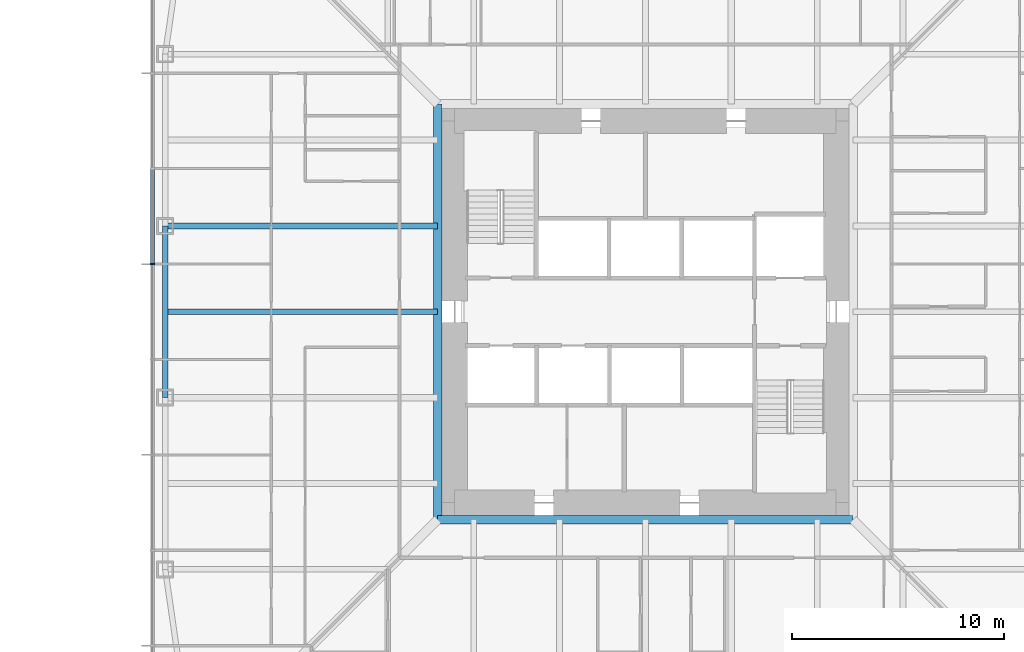
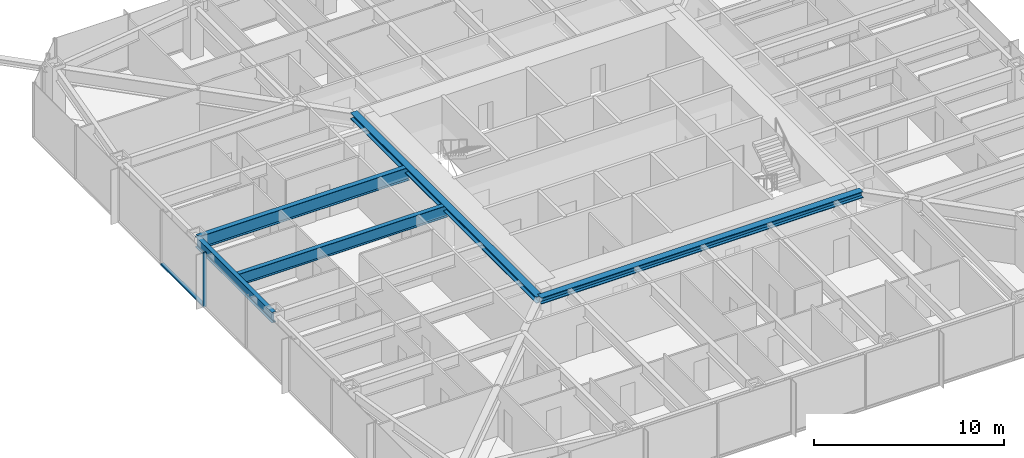
# One storey, part 4 of 26: 5 beams, 2 members, 1 element without a shape of its own.
"""IFC4 building model written with IfcOpenShell, lengths in metres."""

from ifc_helpers import new_model, si_unit, direction, frame, origin, origin_2d, place, context, subcontext, project, spatial, rectangle, i_section, extrude, material, material_profile, profile_set, type_object, element, aggregate, save


model = new_model("IFC4")

# Units and contexts
model_context = context("Model", 3, precision=1e-05, world=origin(), true_north=direction((0.0, 1.0)))
body_context = subcontext(model_context, "Body", "Model", "MODEL_VIEW")
ifc_project = project(units=[si_unit("LENGTHUNIT", "METRE"), si_unit("AREAUNIT", "SQUARE_METRE"), si_unit("VOLUMEUNIT", "CUBIC_METRE"), si_unit("PLANEANGLEUNIT", "RADIAN"), si_unit("MASSUNIT", "GRAM", prefix="KILO")], contexts=[model_context])

# Site, building, storey
site_placement = place(None, origin())
site = spatial("IfcSite", under=ifc_project, at=site_placement, CompositionType="ELEMENT")
building_placement = place(site_placement, origin())
building = spatial("IfcBuilding", under=site, at=building_placement, Name="Iwan Alto Co-Living Towers", CompositionType="ELEMENT")
storey_placement = place(building_placement, frame((0.0, 0.0, 36.0)))
storey = spatial("IfcBuildingStorey", under=building, at=storey_placement, Name="L09", CompositionType="ELEMENT", Elevation=36.0)

# Curtain wall, members
ifc_material_1 = material(Name="Bronze aluminium unitised frame", Category="aluminium")
curtain_wall_type = type_object("IfcCurtainWallType", Name="CURTAIN WALL CW-A", PredefinedType="NOTDEFINED", material=ifc_material_1)
curtain_wall_placement = place(storey_placement, origin())
curtain_wall = element("IfcCurtainWall", 1, at=curtain_wall_placement, inside=storey, type_object=curtain_wall_type, Name="T1 curtain wall W L09", PredefinedType="NOTDEFINED")
ifc_material_2 = material(Name="Aluminium 6063-T6 bronze anodised", Category="aluminium")
ifc_material_profile_1 = material_profile(ifc_material_2, rectangle(XDim=0.199951171875, YDim=0.080078125, at=origin_2d()), Name="AL 80X200")
ifc_profile_set_1 = profile_set([ifc_material_profile_1], Name="Aluminium 6063-T6 bronze anodised")
member_type_1 = type_object("IfcMemberType", Name="CW-A MULLION 80X200", PredefinedType="MULLION", material=ifc_profile_set_1)
member_1_placement = place(storey_placement, frame((-23.25, 2.25, 0.0), z_axis=(0.0, 0.0, 1.0), x_axis=(1.0, 0.0, 0.0)))
member_1 = element("IfcMember", 2, at=member_1_placement, type_object=member_type_1, Name="CW-A mullion 5", PredefinedType="MULLION", context=body_context, shape_type="SweptSolid", body=[
    extrude(rectangle(XDim=0.199951171875, YDim=0.080078125, at=origin_2d()), origin(), (0.0, 0.0, 1.0), 3.5),
])
ifc_material_3 = material(Name="Aluminium 6063-T6 bronze anodised", Category="aluminium")
ifc_material_profile_2 = material_profile(ifc_material_3, rectangle(XDim=0.199951171875, YDim=0.10009765625, at=origin_2d()), Name="AL 200X100")
ifc_profile_set_2 = profile_set([ifc_material_profile_2], Name="Aluminium 6063-T6 bronze anodised")
member_type_2 = type_object("IfcMemberType", Name="CW-A TRANSOM 200X100", PredefinedType="USERDEFINED", material=ifc_profile_set_2)
member_2_placement = place(storey_placement, frame((-23.25, 6.7099609375, 0.050048828125), z_axis=(0.0, -1.0, 0.0), x_axis=(1.0, 0.0, 0.0)))
member_2 = element("IfcMember", 3, at=member_2_placement, type_object=member_type_2, Name="CW-A transom 4.1", ObjectType="TRANSOM", PredefinedType="USERDEFINED", context=body_context, shape_type="SweptSolid", body=[
    extrude(rectangle(XDim=0.199951171875, YDim=0.10009765625, at=origin_2d()), origin(), (0.0, 0.0, 1.0), 4.419921875),
])
aggregate(curtain_wall, [member_1, member_2])

# Beams
ifc_material_4 = material(Name="Steel ASTM A992 Gr 50", Category="steel")
ifc_material_profile_3 = material_profile(ifc_material_4, i_section(OverallWidth=0.40380859375, OverallDepth=0.406494140625, WebThickness=0.027099609375, FlangeThickness=0.043701171875, at=origin_2d()), Name="W14X233")
ifc_profile_set_3 = profile_set([ifc_material_profile_3], Name="Steel ASTM A992 Gr 50")
beam_type_1 = type_object("IfcBeamType", Name="T1 CORE LEDGER BEAM W14X233", PredefinedType="BEAM", material=ifc_profile_set_3)
for number, where, z_axis, x_axis, name in (
    (4, (-9.802001953125, -9.802001953125, 3.06689453125), (1.0, 0.0, 0.0), (0.0, 1.0, 0.0), "T1 core ledger beam S L10"),
    (5, (-9.802001953125, 9.802001953125, 3.06689453125), (0.0, -1.0, 0.0), (1.0, 0.0, 0.0), "T1 core ledger beam W L10"),
):
    element("IfcBeam", number, at=place(storey_placement, frame(where, z_axis=z_axis, x_axis=x_axis)), inside=storey, type_object=beam_type_1, Name=name, PredefinedType="BEAM", context=body_context, shape_type="SweptSolid", body=[
        extrude(i_section(OverallWidth=0.40380859375, OverallDepth=0.406494140625, WebThickness=0.027099609375, FlangeThickness=0.043701171875, at=origin_2d()), origin(), (0.0, 0.0, 1.0), 19.60400390625),
    ])
ifc_material_5 = material(Name="Steel ASTM A992 Gr 50", Category="steel")
ifc_material_profile_4 = material_profile(ifc_material_5, i_section(OverallWidth=0.25390625, OverallDepth=0.683349609375, WebThickness=0.012451171875, FlangeThickness=0.018798828125, at=origin_2d()), Name="W27X94")
ifc_profile_set_4 = profile_set([ifc_material_profile_4], Name="Steel ASTM A992 Gr 50")
beam_type_2 = type_object("IfcBeamType", Name="T1 EDGE BEAM W27X94", PredefinedType="BEAM", material=ifc_profile_set_4)
beam_1_placement = place(storey_placement, frame((-22.64990234375, 4.050048828125, 2.928466796875), z_axis=(0.0, -1.0, 0.0), x_axis=(1.0, 0.0, 0.0)))
element("IfcBeam", 6, at=beam_1_placement, inside=storey, type_object=beam_type_2, Name="T1 edge beam W2 L10", PredefinedType="BEAM", context=body_context, shape_type="SweptSolid", body=[
    extrude(i_section(OverallWidth=0.25390625, OverallDepth=0.683349609375, WebThickness=0.012451171875, FlangeThickness=0.018798828125, at=origin_2d()), origin(), (0.0, 0.0, 1.0), 8.10009765625),
])
ifc_material_6 = material(Name="Steel ASTM A992 Gr 50", Category="steel")
ifc_material_profile_5 = material_profile(ifc_material_6, i_section(OverallWidth=0.2919921875, OverallDepth=0.8408203125, WebThickness=0.0146484375, FlangeThickness=0.021728515625, at=origin_2d()), Name="W33X130")
ifc_profile_set_5 = profile_set([ifc_material_profile_5], Name="Steel ASTM A992 Gr 50")
beam_type_3 = type_object("IfcBeamType", Name="T1 RADIAL BEAM W33X130", PredefinedType="BEAM", material=ifc_profile_set_5)
beam_2_placement = place(storey_placement, frame((-22.64990234375, 4.050048828125, 2.849609375), z_axis=(1.0, 0.0, 0.0), x_axis=(0.0, 1.0, 0.0)))
element("IfcBeam", 7, at=beam_2_placement, inside=storey, type_object=beam_type_3, Name="T1 radial beam W2 L10", PredefinedType="BEAM", context=body_context, shape_type="SweptSolid", body=[
    extrude(i_section(OverallWidth=0.2919921875, OverallDepth=0.8408203125, WebThickness=0.0146484375, FlangeThickness=0.021728515625, at=origin_2d()), origin(), (0.0, 0.0, 1.0), 12.847900390625),
])
ifc_material_7 = material(Name="Steel ASTM A992 Gr 50", Category="steel")
ifc_material_profile_6 = material_profile(ifc_material_7, i_section(OverallWidth=0.2666015625, OverallDepth=0.761962890625, WebThickness=0.014404296875, FlangeThickness=0.021484375, at=origin_2d()), Name="W30X116")
ifc_profile_set_6 = profile_set([ifc_material_profile_6], Name="Steel ASTM A992 Gr 50")
beam_type_4 = type_object("IfcBeamType", Name="T1 SECONDARY BEAM W30X116", PredefinedType="JOIST", material=ifc_profile_set_6)
beam_3_placement = place(storey_placement, frame((-22.64990234375, 0.0, 2.888916015625), z_axis=(1.0, 0.0, 0.0), x_axis=(0.0, 1.0, 0.0)))
element("IfcBeam", 8, at=beam_3_placement, inside=storey, type_object=beam_type_4, Name="T1 secondary beam W2 L10", PredefinedType="JOIST", context=body_context, shape_type="SweptSolid", body=[
    extrude(i_section(OverallWidth=0.2666015625, OverallDepth=0.761962890625, WebThickness=0.014404296875, FlangeThickness=0.021484375, at=origin_2d()), origin(), (0.0, 0.0, 1.0), 12.847900390625),
])

save(model, "model.ifc")
